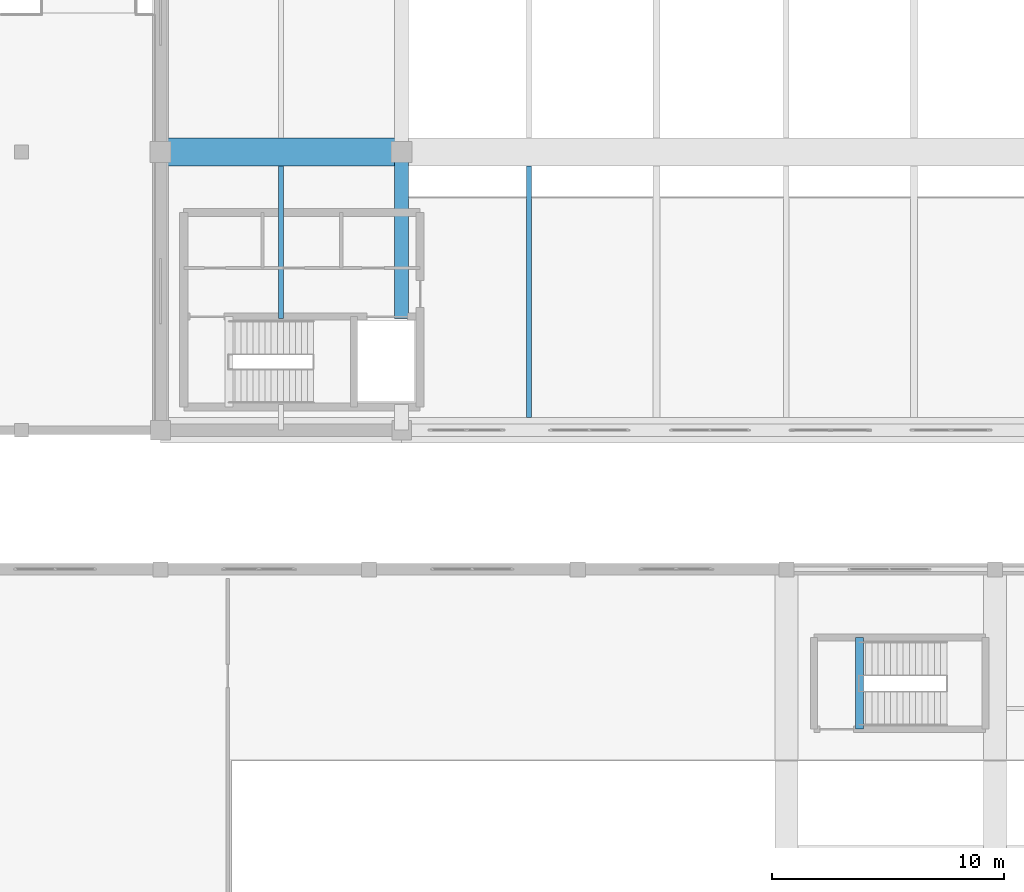
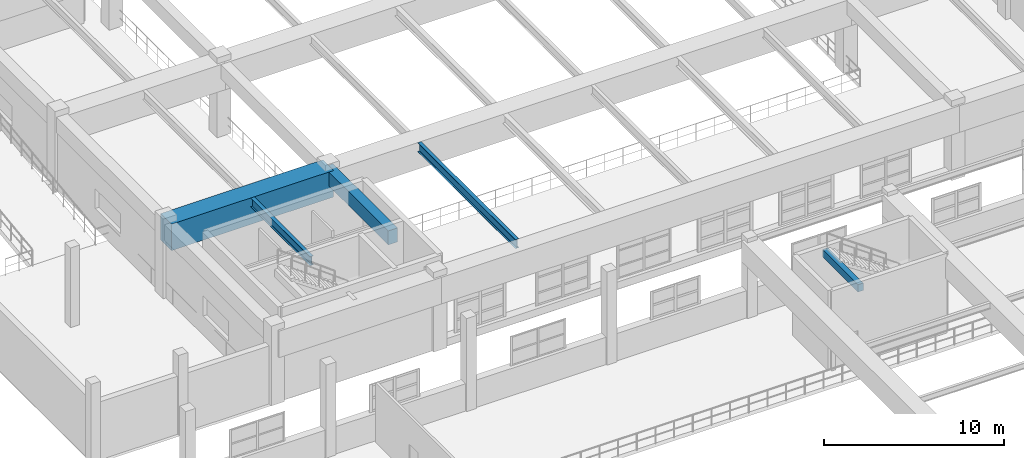
# One storey, part 26 of 197: 5 beams.
"""IFC4 building model written with IfcOpenShell, lengths in metres."""

from ifc_helpers import new_model, si_unit, derived_unit, direction, frame, origin, origin_2d, place, context, subcontext, project, spatial, rectangle, i_section, extrude, material, material_profile, profile_set, type_object, element, save


model = new_model("IFC4")

# Units and contexts
model_context = context("Model", 3, precision=1e-05, world=origin(), true_north=direction((0.0, 1.0)))
body_context = subcontext(model_context, "Body", "Model", "MODEL_VIEW")
ifc_project = project(units=[si_unit("LENGTHUNIT", "METRE"), si_unit("AREAUNIT", "SQUARE_METRE"), si_unit("VOLUMEUNIT", "CUBIC_METRE"), si_unit("PLANEANGLEUNIT", "RADIAN"), si_unit("MASSUNIT", "GRAM", prefix="KILO"), derived_unit("THERMALTRANSMITTANCEUNIT", [(si_unit("POWERUNIT", "WATT"), 1), (si_unit("LENGTHUNIT", "METRE"), -2), (si_unit("THERMODYNAMICTEMPERATUREUNIT", "KELVIN"), -1)])], contexts=[model_context])

# Site, building, storey
site_placement = place(None, origin())
site = spatial("IfcSite", under=ifc_project, at=site_placement, CompositionType="ELEMENT")
building_placement = place(site_placement, origin())
building = spatial("IfcBuilding", under=site, at=building_placement, Name="Almenara Railside Exhibition Hall", CompositionType="ELEMENT")
storey_placement = place(building_placement, frame((0.0, 0.0, 5.39990234375)))
storey = spatial("IfcBuildingStorey", under=building, at=storey_placement, Name="L01", CompositionType="ELEMENT", Elevation=5.39990234375)

# Beams
ifc_material_1 = material(Name="Concrete C40/50", Category="concrete")
ifc_material_profile_1 = material_profile(ifc_material_1, rectangle(XDim=0.60009765625, YDim=0.949951171875, at=origin_2d()), Name="RC 600x950")
ifc_profile_set_1 = profile_set([ifc_material_profile_1], Name="Concrete C40/50")
beam_type_1 = type_object("IfcBeamType", Name="RC Hall Edge Beam 600x950 C40/50", PredefinedType="BEAM", material=ifc_profile_set_1)
beam_1_placement = place(storey_placement, frame((22.39990234375, 52.820068359375, 4.52099609375), z_axis=(0.0, 1.0, 0.0), x_axis=(-1.0, 0.0, 0.0)))
element("IfcBeam", 1, at=beam_1_placement, inside=storey, type_object=beam_type_1, Name="Beam 0584", PredefinedType="BEAM", context=body_context, shape_type="SweptSolid", body=[
    extrude(rectangle(XDim=0.60009765625, YDim=0.949951171875, at=origin_2d()), origin(), (0.0, 0.0, 1.0), 7.179931640625),
])
ifc_material_2 = material(Name="Concrete C35/45", Category="concrete")
ifc_material_profile_2 = material_profile(ifc_material_2, rectangle(XDim=0.35009765625, YDim=0.5, at=origin_2d()), Name="RC 350x500")
ifc_profile_set_2 = profile_set([ifc_material_profile_2], Name="Concrete C35/45")
beam_type_2 = type_object("IfcBeamType", Name="RC Spandrel Tie Beam 350x500 C35/45", PredefinedType="SPANDREL", material=ifc_profile_set_2)
beam_2_placement = place(storey_placement, frame((42.14990234375, 35.10009765625, 4.885986328125), z_axis=(0.0, 1.0, 0.0), x_axis=(-1.0, 0.0, 0.0)))
element("IfcBeam", 2, at=beam_2_placement, inside=storey, type_object=beam_type_2, Name="Stair trimmer HST5-L01", PredefinedType="SPANDREL", context=body_context, shape_type="SweptSolid", body=[
    extrude(rectangle(XDim=0.35009765625, YDim=0.5, at=origin_2d()), origin(), (0.0, 0.0, 1.0), 3.949951171875),
])
ifc_material_profile_3 = material_profile(ifc_material_1, rectangle(XDim=1.199951171875, YDim=1.800048828125, at=origin_2d()), Name="RC 1200x1800")
ifc_profile_set_3 = profile_set([ifc_material_profile_3], Name="Concrete C40/50")
beam_type_3 = type_object("IfcBeamType", Name="RC Transfer Girder 1200x1800 C40/50", PredefinedType="USERDEFINED", material=ifc_profile_set_3)
beam_3_placement = place(storey_placement, frame((12.0, 60.0, 4.09619140625), z_axis=(1.0, 0.0, 0.0), x_axis=(0.0, 1.0, 0.0)))
element("IfcBeam", 3, at=beam_3_placement, inside=storey, type_object=beam_type_3, Name="Beam 0559", ObjectType="GIRDER", PredefinedType="USERDEFINED", context=body_context, shape_type="SweptSolid", body=[
    extrude(rectangle(XDim=1.199951171875, YDim=1.800048828125, at=origin_2d()), origin(), (0.0, 0.0, 1.0), 10.39990234375),
])
ifc_material_3 = material(Name="Structural steel S355JR", Category="steel")
ifc_material_profile_4 = material_profile(ifc_material_3, i_section(OverallWidth=0.22900390625, OverallDepth=0.6123046875, WebThickness=0.011962890625, FlangeThickness=0.01953125, FilletRadius=0.0126953125, at=origin_2d()), Name="UB 610x229x125")
ifc_profile_set_4 = profile_set([ifc_material_profile_4], Name="Structural steel S355JR")
beam_type_4 = type_object("IfcBeamType", Name="Steel Gallery Girder UB 610x229x125 S355JR", PredefinedType="USERDEFINED", material=ifc_profile_set_4)
beam_4_placement = place(storey_placement, frame((17.199951171875, 52.820068359375, 4.68994140625), z_axis=(0.0, 1.0, 0.0), x_axis=(-1.0, 0.0, 0.0)))
element("IfcBeam", 4, at=beam_4_placement, inside=storey, type_object=beam_type_4, Name="Beam 0582", ObjectType="GIRDER", PredefinedType="USERDEFINED", context=body_context, shape_type="SweptSolid", body=[
    extrude(i_section(OverallWidth=0.22900390625, OverallDepth=0.6123046875, WebThickness=0.011962890625, FlangeThickness=0.01953125, FilletRadius=0.0126953125, at=origin_2d()), origin(), (0.0, 0.0, 1.0), 6.579833984375),
])
beam_5_placement = place(storey_placement, frame((27.89990234375, 48.550048828125, 4.68994140625), z_axis=(0.0, 1.0, 0.0), x_axis=(-1.0, 0.0, 0.0)))
element("IfcBeam", 5, at=beam_5_placement, inside=storey, type_object=beam_type_4, Name="Beam 0585", ObjectType="GIRDER", PredefinedType="USERDEFINED", context=body_context, shape_type="SweptSolid", body=[
    extrude(i_section(OverallWidth=0.22900390625, OverallDepth=0.6123046875, WebThickness=0.011962890625, FlangeThickness=0.01953125, FilletRadius=0.0126953125, at=origin_2d()), origin(), (0.0, 0.0, 1.0), 10.849853515625),
])

save(model, "model.ifc")
